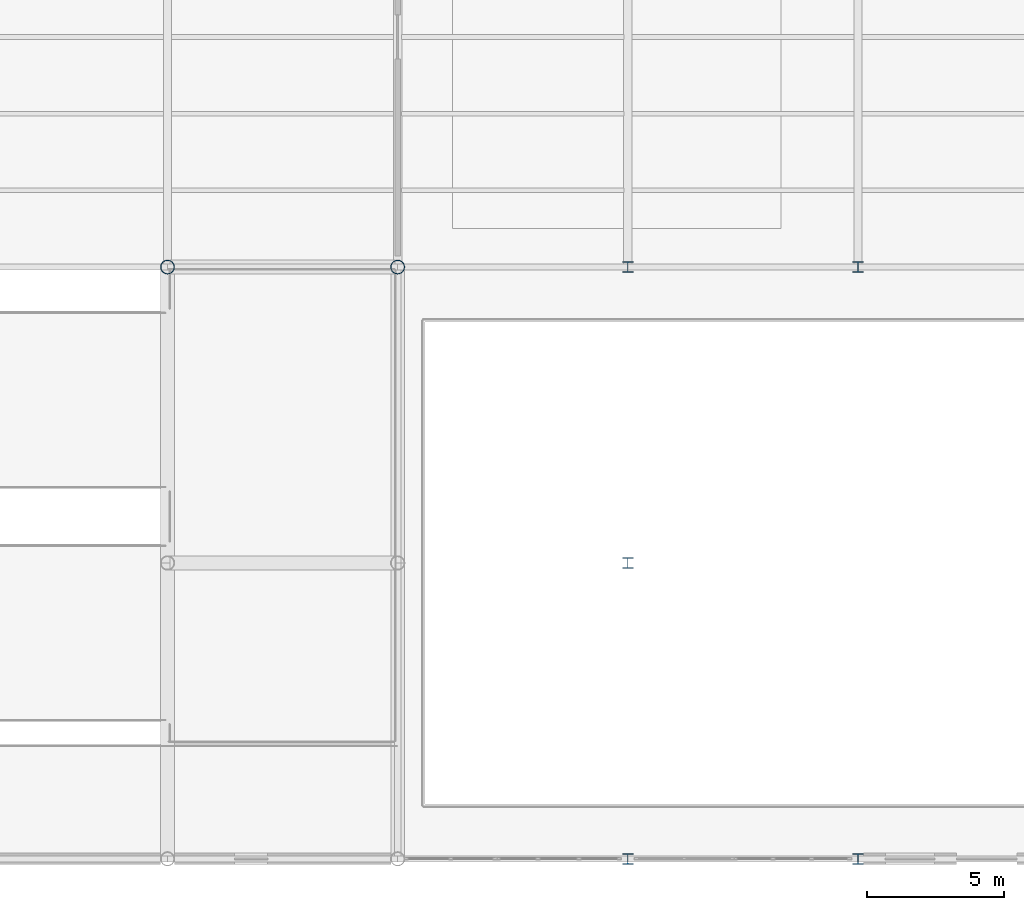
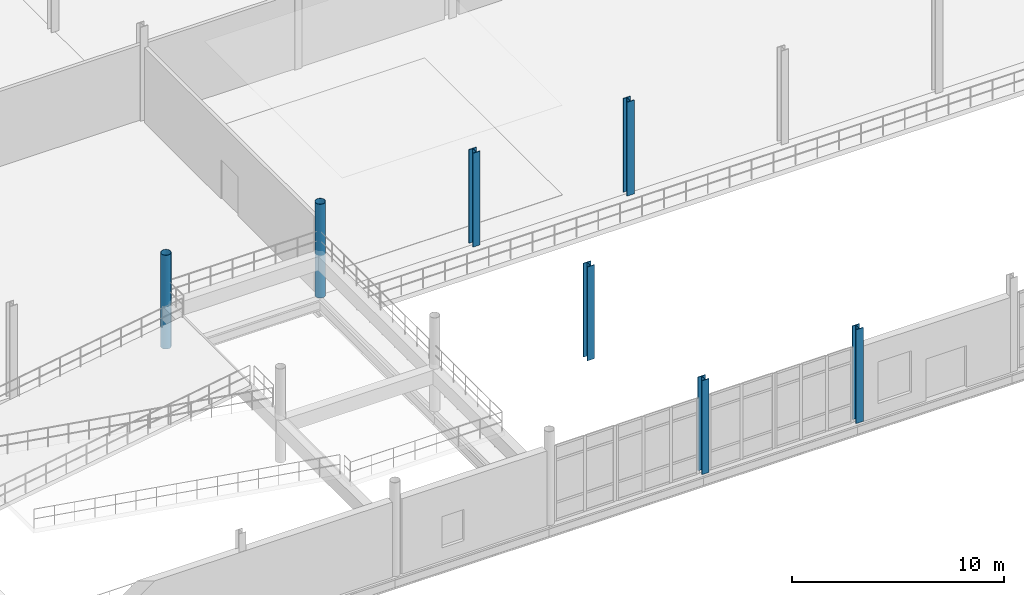
# One storey, part 2 of 111: 7 columns.
"""IFC4 building model written with IfcOpenShell, lengths in metres."""

from ifc_helpers import new_model, si_unit, direction, frame, origin, origin_2d, place, context, subcontext, project, spatial, hollow_circle, i_section, extrude, material, material_profile, profile_set, type_object, element, save


model = new_model("IFC4")

# Units and contexts
model_context = context("Model", 3, precision=1e-05, world=origin(), true_north=direction((0.0, 1.0)))
body_context = subcontext(model_context, "Body", "Model", "MODEL_VIEW")
ifc_project = project(units=[si_unit("LENGTHUNIT", "METRE"), si_unit("AREAUNIT", "SQUARE_METRE"), si_unit("VOLUMEUNIT", "CUBIC_METRE"), si_unit("PLANEANGLEUNIT", "RADIAN"), si_unit("MASSUNIT", "GRAM", prefix="KILO"), si_unit("THERMODYNAMICTEMPERATUREUNIT", "KELVIN"), si_unit("POWERUNIT", "WATT")], contexts=[model_context])

# Site, building, storey
site_placement = place(None, origin())
site = spatial("IfcSite", under=ifc_project, at=site_placement, CompositionType="ELEMENT")
building_placement = place(site_placement, origin())
building = spatial("IfcBuilding", under=site, at=building_placement, Name="Tembeka Court Mobility Hub", CompositionType="ELEMENT")
storey_placement = place(building_placement, origin())
storey = spatial("IfcBuildingStorey", under=building, at=storey_placement, Name="L00", CompositionType="ELEMENT", Elevation=0.0)

# Columns
ifc_material = material(Name="Steel S355", Category="steel")
ifc_material_profile_1 = material_profile(ifc_material, i_section(OverallWidth=0.39892578125, OverallDepth=0.39404296875, WebThickness=0.022705078125, FlangeThickness=0.03662109375, FilletRadius=0.01513671875, at=origin_2d()), Name="UKC 356x406x287")
ifc_profile_set_1 = profile_set([ifc_material_profile_1], Name="Steel S355")
column_type_1 = type_object("IfcColumnType", Name="COL-C01", PredefinedType="COLUMN", material=ifc_profile_set_1)
for number, where, z_axis, x_axis, name in (
    (1, (50.39990234375, 0.0, 0.0), (0.0, 0.0, 1.0), (1.0, 0.0, 0.0), "Column C01 (L00-071)"),
    (2, (50.39990234375, 10.800048828125, 0.0), (0.0, 0.0, 1.0), (1.0, 0.0, 0.0), "Column C01 (L00-072)"),
    (3, (50.39990234375, 21.60009765625, 0.0), (0.0, 0.0, 1.0), (1.0, 0.0, 0.0), "Column C01 (L00-073)"),
    (4, (58.800048828125, 0.0, 0.0), (0.0, 0.0, 1.0), (1.0, 0.0, 0.0), "Column C01 (L00-083)"),
    (5, (58.800048828125, 21.60009765625, 0.0), (0.0, 0.0, 1.0), (1.0, 0.0, 0.0), "Column C01 (L00-084)"),
):
    element("IfcColumn", number, at=place(storey_placement, frame(where, z_axis=z_axis, x_axis=x_axis)), inside=storey, type_object=column_type_1, Name=name, PredefinedType="COLUMN", context=body_context, shape_type="SweptSolid", body=[
        extrude(i_section(OverallWidth=0.39892578125, OverallDepth=0.39404296875, WebThickness=0.022705078125, FlangeThickness=0.03662109375, FilletRadius=0.01513671875, at=origin_2d()), origin(), (0.0, 0.0, 1.0), 5.39990234375),
    ])
ifc_material_profile_2 = material_profile(ifc_material, hollow_circle(Radius=0.25390625, WallThickness=0.01611328125, at=origin_2d()), Name="CHS 508x16")
ifc_profile_set_2 = profile_set([ifc_material_profile_2], Name="Steel S355")
column_type_2 = type_object("IfcColumnType", Name="COL-C08", PredefinedType="COLUMN", material=ifc_profile_set_2)
for number, where, z_axis, x_axis, name in (
    (6, (33.60009765625, 21.60009765625, 0.0), (0.0, 0.0, 1.0), (1.0, 0.0, 0.0), "Column C08 (L00-049)"),
    (7, (42.0, 21.60009765625, 0.0), (0.0, 0.0, 1.0), (1.0, 0.0, 0.0), "Column C08 (L00-061)"),
):
    element("IfcColumn", number, at=place(storey_placement, frame(where, z_axis=z_axis, x_axis=x_axis)), inside=storey, type_object=column_type_2, Name=name, PredefinedType="COLUMN", context=body_context, shape_type="SweptSolid", body=[
        extrude(hollow_circle(Radius=0.25390625, WallThickness=0.01611328125, at=origin_2d()), origin(), (0.0, 0.0, 1.0), 5.39990234375),
    ])

save(model, "model.ifc")
